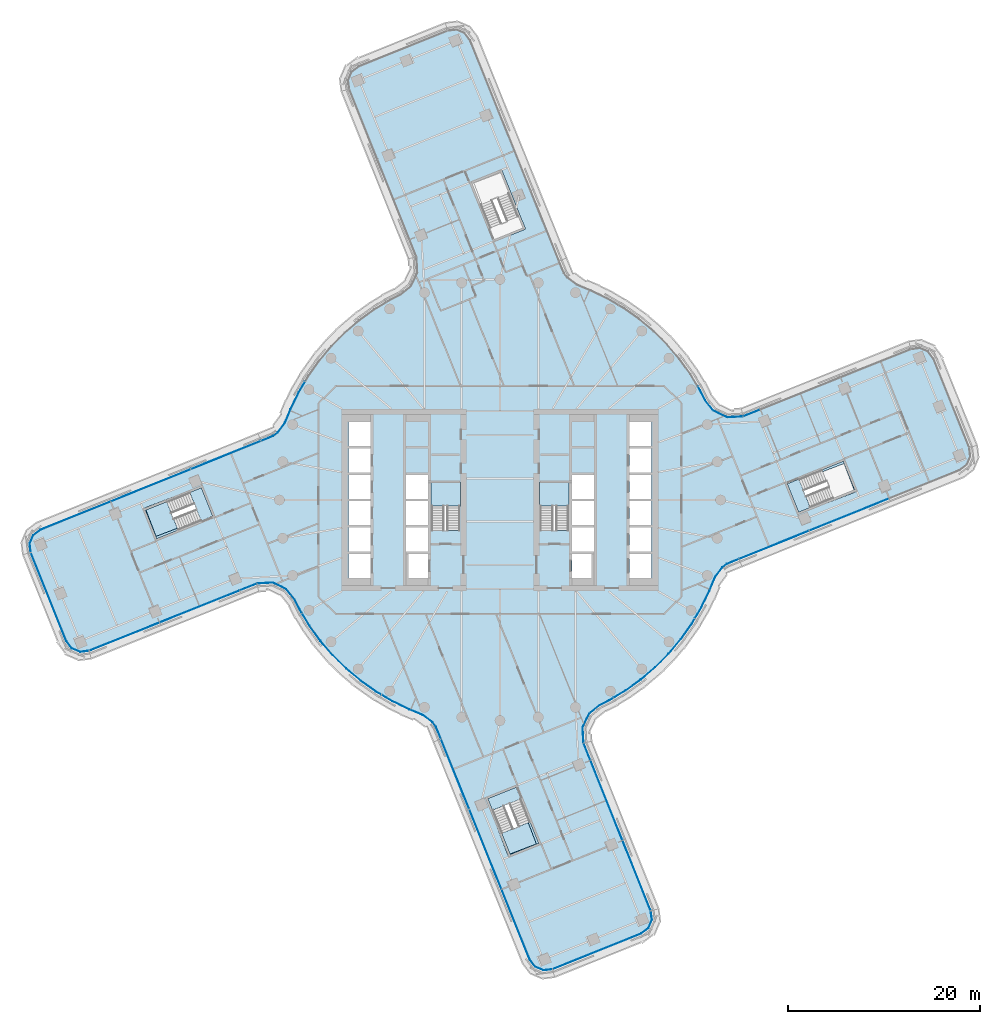
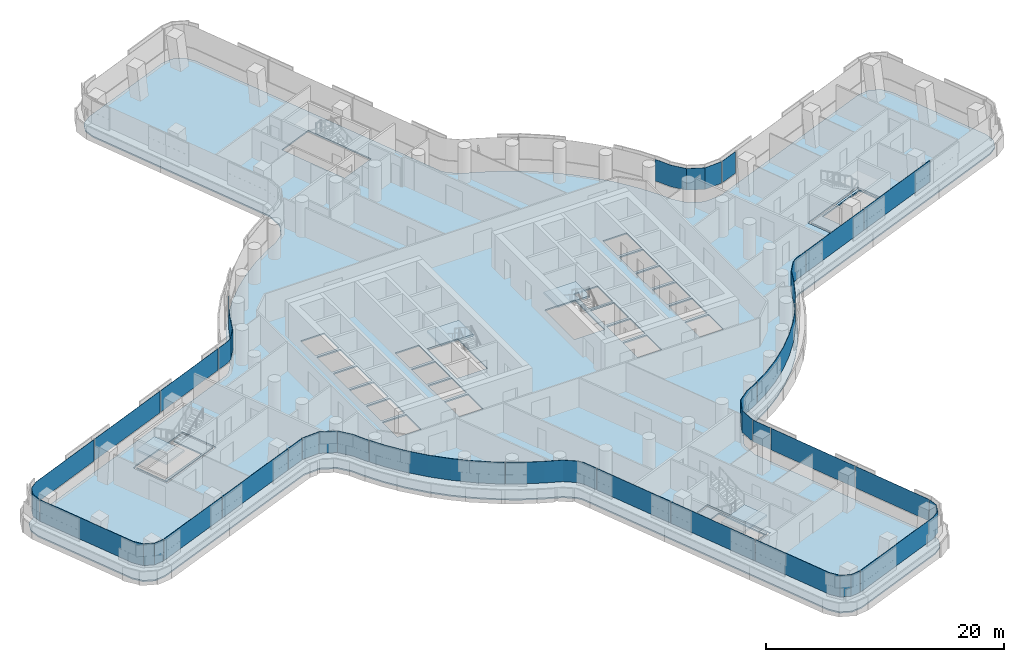
# One storey, part 18 of 32: 25 plates, 8 slabs, 16 elements without a shape of their own.
"""IFC4 building model written with IfcOpenShell, lengths in metres."""

from ifc_helpers import new_model, si_unit, direction, frame, origin, place, context, subcontext, project, spatial, polyline, outline, extrude, material, layer, layer_set, type_object, element, aggregate, save


model = new_model("IFC4")

# Units and contexts
model_context = context("Model", 3, precision=1e-05, world=origin(), true_north=direction((0.0, 1.0)))
body_context = subcontext(model_context, "Body", "Model", "MODEL_VIEW")
ifc_project = project(units=[si_unit("LENGTHUNIT", "METRE"), si_unit("AREAUNIT", "SQUARE_METRE"), si_unit("VOLUMEUNIT", "CUBIC_METRE"), si_unit("PLANEANGLEUNIT", "RADIAN"), si_unit("MASSUNIT", "GRAM", prefix="KILO")], contexts=[model_context])

# Site, building, storey
site_placement = place(None, origin())
site = spatial("IfcSite", under=ifc_project, at=site_placement, CompositionType="ELEMENT")
building_placement = place(site_placement, origin())
building = spatial("IfcBuilding", under=site, at=building_placement, Name="Tamarind Cross Interchange Tower", CompositionType="ELEMENT")
storey_placement = place(building_placement, frame((0.0, 0.0, 113.5)))
storey = spatial("IfcBuildingStorey", under=building, at=storey_placement, Name="L27", CompositionType="ELEMENT", Elevation=113.5)

# Slabs
ifc_material_1 = material(Name="Concrete C35", Category="concrete")
ifc_layer_1 = layer(ifc_material_1, 0.139892578125)
ifc_layer_set_1 = layer_set([ifc_layer_1], Name="Concrete C35")
slab_type_1 = type_object("IfcSlabType", Name="Composite slab 140 Concrete C35", PredefinedType="FLOOR", material=ifc_layer_set_1)
slab_1_placement = place(storey_placement, frame((0.0, 0.0, -0.139892578125)))
element("IfcSlab", 1, at=slab_1_placement, inside=storey, type_object=slab_type_1, Name="Floor slab L27", PredefinedType="FLOOR", context=body_context, shape_type="SweptSolid", body=[
    extrude(outline(polyline([(-23.73291015625, 6.85302734375), (-24.989990234375, 6.34228515625), (-48.009521484375, -2.9306640625), (-48.8369140625, -3.552734375), (-49.242431640625, -4.50537109375), (-49.1171875, -5.533203125), (-45.380859375, -14.808837890625), (-44.758544921875, -15.63623046875), (-43.805908203125, -16.041748046875), (-42.7783203125, -15.91650390625), (-25.30322265625, -8.91064453125), (-23.722412109375, -8.8203125), (-22.4091796875, -9.453369140625), (-21.55615234375, -10.504638671875), (-21.054443359375, -11.511474609375), (-20.031982421875, -13.2109375), (-18.87255859375, -14.820068359375), (-17.584228515625, -16.327880859375), (-16.17578125, -17.72412109375), (-14.656982421875, -18.99951171875), (-13.0380859375, -20.14501953125), (-11.329833984375, -21.15283203125), (-9.54443359375, -22.01611328125), (-8.127685546875, -22.607421875), (-7.17333984375, -23.320068359375), (-6.85302734375, -23.73291015625), (-6.34228515625, -24.989990234375), (2.9306640625, -48.009521484375), (3.552734375, -48.8369140625), (4.50537109375, -49.242431640625), (5.533203125, -49.1171875), (14.808837890625, -45.380859375), (15.63623046875, -44.758544921875), (16.041748046875, -43.805908203125), (15.91650390625, -42.7783203125), (8.91064453125, -25.30322265625), (8.8203125, -23.722412109375), (9.453369140625, -22.4091796875), (10.504638671875, -21.55615234375), (11.511474609375, -21.054443359375), (13.2109375, -20.031982421875), (14.820068359375, -18.87255859375), (16.327880859375, -17.584228515625), (17.72412109375, -16.17578125), (18.99951171875, -14.656982421875), (20.14501953125, -13.0380859375), (21.15283203125, -11.329833984375), (22.01611328125, -9.54443359375), (22.607421875, -8.127685546875), (23.320068359375, -7.17333984375), (23.73291015625, -6.85302734375), (24.989990234375, -6.34228515625), (48.009521484375, 2.9306640625), (48.8369140625, 3.552734375), (49.242431640625, 4.50537109375), (49.1171875, 5.533203125), (45.380859375, 14.808837890625), (44.758544921875, 15.63623046875), (43.805908203125, 16.041748046875), (42.7783203125, 15.91650390625), (25.30322265625, 8.91064453125), (23.722412109375, 8.8203125), (22.4091796875, 9.453369140625), (21.55615234375, 10.504638671875), (21.054443359375, 11.511474609375), (20.031982421875, 13.2109375), (18.87255859375, 14.820068359375), (17.584228515625, 16.327880859375), (16.17578125, 17.72412109375), (14.656982421875, 18.99951171875), (13.0380859375, 20.14501953125), (11.329833984375, 21.15283203125), (9.54443359375, 22.01611328125), (8.127685546875, 22.607421875), (7.17333984375, 23.320068359375), (6.85302734375, 23.73291015625), (6.34228515625, 24.989990234375), (-2.9306640625, 48.009521484375), (-3.552734375, 48.8369140625), (-4.50537109375, 49.242431640625), (-5.533203125, 49.1171875), (-14.808837890625, 45.380859375), (-15.63623046875, 44.758544921875), (-16.041748046875, 43.805908203125), (-15.91650390625, 42.7783203125), (-8.91064453125, 25.30322265625), (-8.8203125, 23.722412109375), (-9.453369140625, 22.4091796875), (-10.504638671875, 21.55615234375), (-11.511474609375, 21.054443359375), (-13.2109375, 20.031982421875), (-14.820068359375, 18.87255859375), (-16.327880859375, 17.584228515625), (-17.72412109375, 16.17578125), (-18.99951171875, 14.656982421875), (-20.14501953125, 13.0380859375), (-21.15283203125, 11.329833984375), (-22.01611328125, 9.54443359375), (-22.607421875, 8.127685546875), (-23.320068359375, 7.17333984375), (-23.73291015625, 6.85302734375)]), holes=[polyline([(-13.5, -8.125), (-15.800048828125, -8.125), (-15.800048828125, -5.625), (-13.5, -5.625), (-13.5, -8.125)]), polyline([(-7.5, -8.125), (-9.800048828125, -8.125), (-9.800048828125, -5.625), (-7.5, -5.625), (-7.5, -8.125)]), polyline([(-13.5, -5.375), (-15.800048828125, -5.375), (-15.800048828125, -2.875), (-13.5, -2.875), (-13.5, -5.375)]), polyline([(-29.683349609375, -1.801513671875), (-35.898193359375, -4.3046875), (-35.972900390625, -4.119384765625), (-37.168701171875, -1.151123046875), (-37.243408203125, -0.965576171875), (-36.978759765625, -0.85888671875), (-37.000244140625, -0.802978515625), (-33.927001953125, 0.370361328125), (-31.028564453125, 1.537841796875), (-30.953857421875, 1.352294921875), (-29.75830078125, -1.615966796875), (-29.683349609375, -1.801513671875)]), polyline([(-13.5, -2.625), (-15.800048828125, -2.625), (-15.800048828125, -0.125), (-13.5, -0.125), (-13.5, -2.625)]), polyline([(-7.5, -2.625), (-9.800048828125, -2.625), (-9.800048828125, -0.125), (-7.5, -0.125), (-7.5, -2.625)]), polyline([(-13.5, 0.125), (-15.800048828125, 0.125), (-15.800048828125, 2.625), (-13.5, 2.625), (-13.5, 0.125)]), polyline([(-7.5, 0.125), (-9.800048828125, 0.125), (-9.800048828125, 2.625), (-7.5, 2.625), (-7.5, 0.125)]), polyline([(-13.5, 2.875), (-15.800048828125, 2.875), (-15.800048828125, 5.375), (-13.5, 5.375), (-13.5, 2.875)]), polyline([(-15.800048828125, 5.625), (-15.800048828125, 8.125), (-13.5, 8.125), (-13.5, 5.625), (-15.800048828125, 5.625)]), polyline([(-0.370361328125, -33.927001953125), (-1.537841796875, -31.028564453125), (-1.352294921875, -30.953857421875), (1.615966796875, -29.75830078125), (1.801513671875, -29.683349609375), (4.3046875, -35.898193359375), (4.119384765625, -35.972900390625), (1.151123046875, -37.168701171875), (0.965576171875, -37.243408203125), (0.85888671875, -36.978759765625), (0.802978515625, -37.000244140625), (-0.370361328125, -33.927001953125)]), polyline([(-9.800048828125, -5.375), (-9.800048828125, -2.875), (-7.5, -2.875), (-7.5, -5.375), (-9.800048828125, -5.375)]), polyline([(-4.199951171875, -3.18798828125), (-7.14990234375, -3.18798828125), (-7.14990234375, 1.800048828125), (-4.199951171875, 1.800048828125), (-4.199951171875, -3.18798828125)]), polyline([(7.14990234375, 1.800048828125), (7.14990234375, -3.18798828125), (4.199951171875, -3.18798828125), (4.199951171875, 1.800048828125), (7.14990234375, 1.800048828125)]), polyline([(7.5, 2.625), (9.800048828125, 2.625), (9.800048828125, 0.125), (7.5, 0.125), (7.5, 2.625)]), polyline([(-3.183837890625, 33.115478515625), (-2.998291015625, 33.190185546875), (-0.030029296875, 34.3857421875), (0.155517578125, 34.460693359375), (0.26220703125, 34.195556640625), (0.26708984375, 34.197509765625), (0.370361328125, 33.927001953125), (2.65869140625, 28.245849609375), (2.473388671875, 28.171142578125), (-0.494873046875, 26.975341796875), (-0.680419921875, 26.900634765625), (-3.183837890625, 33.115478515625)]), polyline([(7.5, -5.625), (9.800048828125, -5.625), (9.800048828125, -8.125), (7.5, -8.125), (7.5, -5.625)]), polyline([(15.800048828125, -5.625), (15.800048828125, -8.125), (13.5, -8.125), (13.5, -5.625), (15.800048828125, -5.625)]), polyline([(9.800048828125, -2.875), (9.800048828125, -5.375), (7.5, -5.375), (7.5, -2.875), (9.800048828125, -2.875)]), polyline([(13.5, -2.875), (15.800048828125, -2.875), (15.800048828125, -5.375), (13.5, -5.375), (13.5, -2.875)]), polyline([(7.5, -0.125), (9.800048828125, -0.125), (9.800048828125, -2.625), (7.5, -2.625), (7.5, -0.125)]), polyline([(13.5, -0.125), (15.800048828125, -0.125), (15.800048828125, -2.625), (13.5, -2.625), (13.5, -0.125)]), polyline([(31.028564453125, -1.537841796875), (30.953857421875, -1.352294921875), (29.75830078125, 1.615966796875), (29.683349609375, 1.801513671875), (35.898193359375, 4.3046875), (35.972900390625, 4.119384765625), (37.168701171875, 1.151123046875), (37.243408203125, 0.965576171875), (36.978759765625, 0.85888671875), (37.000244140625, 0.802978515625), (33.927001953125, -0.370361328125), (31.028564453125, -1.537841796875)]), polyline([(13.5, 2.625), (15.800048828125, 2.625), (15.800048828125, 0.125), (13.5, 0.125), (13.5, 2.625)]), polyline([(15.800048828125, 5.375), (15.800048828125, 2.875), (13.5, 2.875), (13.5, 5.375), (15.800048828125, 5.375)]), polyline([(15.800048828125, 8.125), (15.800048828125, 5.625), (13.5, 5.625), (13.5, 8.125), (15.800048828125, 8.125)])]), origin(), (0.0, 0.0, 1.0), 0.139892578125),
])
slab_2_placement = place(storey_placement, frame((0.0, 0.0, -0.139892578125)))
element("IfcSlab", 2, at=slab_2_placement, inside=storey, type_object=slab_type_1, Name="Floor slab L27", PredefinedType="FLOOR", context=body_context, shape_type="SweptSolid", body=[
    extrude(outline(polyline([(-36.98291015625, -1.076416015625), (-35.787353515625, -4.044677734375), (-29.943603515625, -1.690673828125), (-31.139404296875, 1.277587890625), (-32.27978515625, 0.818115234375), (-32.356201171875, 0.787353515625), (-31.22412109375, -2.023193359375), (-35.85888671875, -3.79248046875), (-36.907470703125, -1.0458984375), (-36.98291015625, -1.076416015625)])), origin(), (0.0, 0.0, 1.0), 0.139892578125),
])
slab_3_placement = place(storey_placement, frame((0.0, 0.0, -0.139892578125)))
element("IfcSlab", 3, at=slab_3_placement, inside=storey, type_object=slab_type_1, Name="Floor slab L27", PredefinedType="FLOOR", context=body_context, shape_type="SweptSolid", body=[
    extrude(outline(polyline([(1.076416015625, -36.98291015625), (4.044677734375, -35.787353515625), (1.690673828125, -29.943603515625), (-1.277587890625, -31.139404296875), (-0.818115234375, -32.27978515625), (-0.787353515625, -32.356201171875), (2.023193359375, -31.22412109375), (3.79248046875, -35.85888671875), (1.0458984375, -36.907470703125), (1.076416015625, -36.98291015625)])), origin(), (0.0, 0.0, 1.0), 0.139892578125),
])
slab_4_placement = place(storey_placement, frame((0.0, 0.0, -0.139892578125)))
element("IfcSlab", 4, at=slab_4_placement, inside=storey, type_object=slab_type_1, Name="Floor slab L27", PredefinedType="FLOOR", context=body_context, shape_type="SweptSolid", body=[
    extrude(outline(polyline([(36.98291015625, 1.076416015625), (35.787353515625, 4.044677734375), (29.943603515625, 1.690673828125), (31.139404296875, -1.277587890625), (32.27978515625, -0.818115234375), (32.356201171875, -0.787353515625), (31.22412109375, 2.023193359375), (35.85888671875, 3.79248046875), (36.907470703125, 1.0458984375), (36.98291015625, 1.076416015625)])), origin(), (0.0, 0.0, 1.0), 0.139892578125),
])

# Stair, slab
ifc_material_2 = material(Name="Exit stair")
stair_type = type_object("IfcStairType", Name="Exit stair", PredefinedType="HALF_TURN_STAIR", material=ifc_material_2)
stair_1_placement = place(storey_placement, origin())
stair_1 = element("IfcStair", 5, at=stair_1_placement, inside=storey, type_object=stair_type, Name="L27 exit stair ST1", PredefinedType="HALF_TURN_STAIR")
ifc_material_3 = material(Name="Concrete C40", Category="concrete")
ifc_layer_2 = layer(ifc_material_3, 0.199951171875)
ifc_layer_set_2 = layer_set([ifc_layer_2], Name="Concrete C40")
slab_type_2 = type_object("IfcSlabType", Name="Stair landing", PredefinedType="LANDING", material=ifc_layer_set_2)
slab_5_placement = place(storey_placement, frame((0.0, 0.0, 1.675048828125)))
slab_5 = element("IfcSlab", 6, at=slab_5_placement, type_object=slab_type_2, Name="ST1 landing 1", PredefinedType="LANDING", context=body_context, shape_type="SweptSolid", body=[
    extrude(outline(polyline([(-4.10009765625, -0.60009765625), (-4.10009765625, 1.800048828125), (-7.199951171875, 1.800048828125), (-7.199951171875, -0.60009765625), (-4.10009765625, -0.60009765625)])), origin(), (0.0, 0.0, 1.0), 0.199951171875),
])
aggregate(stair_1, [slab_5])

stair_2_placement = place(storey_placement, origin())
stair_2 = element("IfcStair", 7, at=stair_2_placement, inside=storey, type_object=stair_type, Name="L27 exit stair ST2", PredefinedType="HALF_TURN_STAIR")
slab_6_placement = place(storey_placement, frame((0.0, 0.0, 1.675048828125)))
slab_6 = element("IfcSlab", 8, at=slab_6_placement, type_object=slab_type_2, Name="ST2 landing 1", PredefinedType="LANDING", context=body_context, shape_type="SweptSolid", body=[
    extrude(outline(polyline([(7.199951171875, -0.60009765625), (7.199951171875, 1.800048828125), (4.10009765625, 1.800048828125), (4.10009765625, -0.60009765625), (7.199951171875, -0.60009765625)])), origin(), (0.0, 0.0, 1.0), 0.199951171875),
])
aggregate(stair_2, [slab_6])

stair_3_placement = place(storey_placement, origin())
stair_3 = element("IfcStair", 9, at=stair_3_placement, inside=storey, type_object=stair_type, Name="L27 exit stair ST5", PredefinedType="HALF_TURN_STAIR")
slab_7_placement = place(storey_placement, frame((0.0, 0.0, 1.675048828125)))
slab_7 = element("IfcSlab", 10, at=slab_7_placement, type_object=slab_type_2, Name="ST5 landing 1", PredefinedType="LANDING", context=body_context, shape_type="SweptSolid", body=[
    extrude(outline(polyline([(-34.745849609375, -0.175048828125), (-36.983154296875, -1.076416015625), (-35.787353515625, -4.044677734375), (-33.550048828125, -3.143310546875), (-34.745849609375, -0.175048828125)])), origin(), (0.0, 0.0, 1.0), 0.199951171875),
])
aggregate(stair_3, [slab_7])

stair_4_placement = place(storey_placement, origin())
stair_4 = element("IfcStair", 11, at=stair_4_placement, inside=storey, type_object=stair_type, Name="L27 exit stair ST6", PredefinedType="HALF_TURN_STAIR")
slab_8_placement = place(storey_placement, frame((0.0, 0.0, 1.675048828125)))
slab_8 = element("IfcSlab", 12, at=slab_8_placement, type_object=slab_type_2, Name="ST6 landing 1", PredefinedType="LANDING", context=body_context, shape_type="SweptSolid", body=[
    extrude(outline(polyline([(0.175048828125, -34.745849609375), (1.076416015625, -36.983154296875), (4.044677734375, -35.787353515625), (3.143310546875, -33.550048828125), (0.175048828125, -34.745849609375)])), origin(), (0.0, 0.0, 1.0), 0.199951171875),
])
aggregate(stair_4, [slab_8])

# Curtain wall, plate
ifc_material_4 = material(Name="Aluminium 6063-T6", Category="aluminium")
ifc_layer_3 = layer(ifc_material_4, 0.159912109375)
ifc_layer_set_3 = layer_set([ifc_layer_3], Name="Aluminium 6063-T6")
curtain_wall_type = type_object("IfcCurtainWallType", Name="Office curtain wall, 9.0 m bays", PredefinedType="NOTDEFINED", material=ifc_layer_set_3)
curtain_wall_1_placement = place(storey_placement, origin())
curtain_wall_1 = element("IfcCurtainWall", 13, at=curtain_wall_1_placement, inside=storey, type_object=curtain_wall_type, Name="CWS-L27-00", PredefinedType="NOTDEFINED")
ifc_material_5 = material(Name="Laminated low-e glass 8+1.52+8", Category="glass")
ifc_layer_4 = layer(ifc_material_5, 0.028076171875)
ifc_layer_set_4 = layer_set([ifc_layer_4], Name="Laminated low-e glass 8+1.52+8")
plate_type = type_object("IfcPlateType", Name="Vision panel CW1", PredefinedType="CURTAIN_PANEL", material=ifc_layer_set_4)
plate_1_placement = place(storey_placement, frame((0.0, 0.0, 1.39990234375)))
plate_1 = element("IfcPlate", 14, at=plate_1_placement, type_object=plate_type, Name="CWP-L27-00-00", PredefinedType="CURTAIN_PANEL", context=body_context, shape_type="SweptSolid", body=[
    extrude(outline(polyline([(-48.897705078125, -5.50537109375), (-45.19287109375, -14.70263671875), (-44.6220703125, -15.461669921875), (-43.77490234375, -15.822265625), (-42.85986328125, -15.7109375), (-42.8564453125, -15.73876953125), (-43.779052734375, -15.85107421875), (-44.639892578125, -15.484619140625), (-45.21728515625, -14.716552734375), (-48.923583984375, -5.515869140625), (-48.897705078125, -5.50537109375)])), origin(), (0.0, 0.0, 1.0), 2.210205078125),
])
aggregate(curtain_wall_1, [plate_1])

# Curtain wall, plates
curtain_wall_2_placement = place(storey_placement, origin())
curtain_wall_2 = element("IfcCurtainWall", 15, at=curtain_wall_2_placement, inside=storey, type_object=curtain_wall_type, Name="CWS-L27-01", PredefinedType="NOTDEFINED")
plate_2_placement = place(storey_placement, frame((0.0, 0.0, 1.39990234375)))
plate_2 = element("IfcPlate", 16, at=plate_2_placement, type_object=plate_type, Name="CWP-L27-01-00", PredefinedType="CURTAIN_PANEL", context=body_context, shape_type="SweptSolid", body=[
    extrude(outline(polyline([(-42.805908203125, -15.697021484375), (-35.507080078125, -12.77099609375), (-35.496826171875, -12.796875), (-42.79541015625, -15.72314453125), (-42.805908203125, -15.697021484375)])), origin(), (0.0, 0.0, 1.0), 2.210205078125),
])
plate_3_placement = place(storey_placement, frame((0.0, 0.0, 1.39990234375)))
plate_3 = element("IfcPlate", 17, at=plate_3_placement, type_object=plate_type, Name="CWP-L27-01-01", PredefinedType="CURTAIN_PANEL", context=body_context, shape_type="SweptSolid", body=[
    extrude(outline(polyline([(-35.451416015625, -12.74853515625), (-27.150634765625, -9.420654296875), (-27.140380859375, -9.44677734375), (-35.441162109375, -12.774658203125), (-35.451416015625, -12.74853515625)])), origin(), (0.0, 0.0, 1.0), 2.210205078125),
])
plate_4_placement = place(storey_placement, frame((0.0, 0.0, 1.39990234375)))
plate_4 = element("IfcPlate", 18, at=plate_4_placement, type_object=plate_type, Name="CWP-L27-01-02", PredefinedType="CURTAIN_PANEL", context=body_context, shape_type="SweptSolid", body=[
    extrude(outline(polyline([(-27.094970703125, -9.3984375), (-25.38037109375, -8.7109375), (-25.369873046875, -8.73681640625), (-27.084716796875, -9.42431640625), (-27.094970703125, -9.3984375)])), origin(), (0.0, 0.0, 1.0), 2.210205078125),
])
aggregate(curtain_wall_2, [plate_2, plate_3, plate_4])

curtain_wall_3_placement = place(storey_placement, origin())
curtain_wall_3 = element("IfcCurtainWall", 19, at=curtain_wall_3_placement, inside=storey, type_object=curtain_wall_type, Name="CWS-L27-02", PredefinedType="NOTDEFINED")
plate_5_placement = place(storey_placement, frame((0.0, 0.0, 1.39990234375)))
plate_5 = element("IfcPlate", 20, at=plate_5_placement, type_object=plate_type, Name="CWP-L27-02-00", PredefinedType="CURTAIN_PANEL", context=body_context, shape_type="SweptSolid", body=[
    extrude(outline(polyline([(-25.318115234375, -8.697021484375), (-23.679443359375, -8.603515625), (-22.273193359375, -9.281494140625), (-21.375244140625, -10.38818359375), (-20.86669921875, -11.408447265625), (-20.643310546875, -11.77978515625), (-20.667236328125, -11.794189453125), (-20.891357421875, -11.421875), (-21.39892578125, -10.4033203125), (-22.291015625, -9.303955078125), (-23.68505859375, -8.6318359375), (-25.316650390625, -8.72509765625), (-25.318115234375, -8.697021484375)])), origin(), (0.0, 0.0, 1.0), 2.210205078125),
])
plate_6_placement = place(storey_placement, frame((0.0, 0.0, 1.39990234375)))
plate_6 = element("IfcPlate", 21, at=plate_6_placement, type_object=plate_type, Name="CWP-L27-02-01", PredefinedType="CURTAIN_PANEL", context=body_context, shape_type="SweptSolid", body=[
    extrude(outline(polyline([(-20.6123046875, -11.8310546875), (-19.85302734375, -13.093017578125), (-18.7041015625, -14.687744140625), (-17.42724609375, -16.18212890625), (-16.031494140625, -17.56591796875), (-14.526123046875, -18.829833984375), (-12.921630859375, -19.965087890625), (-12.384521484375, -20.281982421875), (-12.398681640625, -20.30615234375), (-12.936767578125, -19.988525390625), (-14.543212890625, -18.85205078125), (-16.05029296875, -17.586669921875), (-17.44775390625, -16.201171875), (-18.72607421875, -14.705078125), (-19.87646484375, -13.1083984375), (-20.636474609375, -11.845703125), (-20.6123046875, -11.8310546875)])), origin(), (0.0, 0.0, 1.0), 2.210205078125),
])
plate_7_placement = place(storey_placement, frame((0.0, 0.0, 1.39990234375)))
plate_7 = element("IfcPlate", 22, at=plate_7_placement, type_object=plate_type, Name="CWP-L27-02-02", PredefinedType="CURTAIN_PANEL", context=body_context, shape_type="SweptSolid", body=[
    extrude(outline(polyline([(-12.332763671875, -20.3125), (-11.228759765625, -20.9638671875), (-9.45654296875, -21.82080078125), (-8.020751953125, -22.420166015625), (-7.02197265625, -23.166015625), (-6.665771484375, -23.625), (-6.155029296875, -24.8818359375), (-6.180908203125, -24.892333984375), (-6.690185546875, -23.63916015625), (-7.041748046875, -23.186279296875), (-8.03466796875, -22.44482421875), (-9.468017578125, -21.846435546875), (-11.241943359375, -20.98876953125), (-12.34716796875, -20.336669921875), (-12.332763671875, -20.3125)])), origin(), (0.0, 0.0, 1.0), 2.210205078125),
])
aggregate(curtain_wall_3, [plate_5, plate_6, plate_7])

curtain_wall_4_placement = place(storey_placement, origin())
curtain_wall_4 = element("IfcCurtainWall", 23, at=curtain_wall_4_placement, inside=storey, type_object=curtain_wall_type, Name="CWS-L27-03", PredefinedType="NOTDEFINED")
plate_8_placement = place(storey_placement, frame((0.0, 0.0, 1.39990234375)))
plate_8 = element("IfcPlate", 24, at=plate_8_placement, type_object=plate_type, Name="CWP-L27-03-00", PredefinedType="CURTAIN_PANEL", context=body_context, shape_type="SweptSolid", body=[
    extrude(outline(polyline([(-6.132568359375, -24.9375), (-3.20751953125, -32.198486328125), (-3.233642578125, -32.208984375), (-6.158447265625, -24.947998046875), (-6.132568359375, -24.9375)])), origin(), (0.0, 0.0, 1.0), 2.210205078125),
])
plate_9_placement = place(storey_placement, frame((0.0, 0.0, 1.39990234375)))
plate_9 = element("IfcPlate", 25, at=plate_9_placement, type_object=plate_type, Name="CWP-L27-03-01", PredefinedType="CURTAIN_PANEL", context=body_context, shape_type="SweptSolid", body=[
    extrude(outline(polyline([(-3.185302734375, -32.254150390625), (0.151611328125, -40.5380859375), (0.125732421875, -40.54833984375), (-3.211181640625, -32.2646484375), (-3.185302734375, -32.254150390625)])), origin(), (0.0, 0.0, 1.0), 2.210205078125),
])
plate_10_placement = place(storey_placement, frame((0.0, 0.0, 1.39990234375)))
plate_10 = element("IfcPlate", 26, at=plate_10_placement, type_object=plate_type, Name="CWP-L27-03-02", PredefinedType="CURTAIN_PANEL", context=body_context, shape_type="SweptSolid", body=[
    extrude(outline(polyline([(0.174072265625, -40.59375), (3.11865234375, -47.9033203125), (3.689453125, -48.662353515625), (4.536376953125, -49.02294921875), (5.451416015625, -48.91162109375), (5.45458984375, -48.939453125), (4.532470703125, -49.0517578125), (3.671630859375, -48.685302734375), (3.093994140625, -47.917236328125), (0.148193359375, -40.60400390625), (0.174072265625, -40.59375)])), origin(), (0.0, 0.0, 1.0), 2.210205078125),
])
aggregate(curtain_wall_4, [plate_8, plate_9, plate_10])

# Curtain wall, plate
curtain_wall_5_placement = place(storey_placement, origin())
curtain_wall_5 = element("IfcCurtainWall", 27, at=curtain_wall_5_placement, inside=storey, type_object=curtain_wall_type, Name="CWS-L27-04", PredefinedType="NOTDEFINED")
plate_11_placement = place(storey_placement, frame((0.0, 0.0, 1.39990234375)))
plate_11 = element("IfcPlate", 28, at=plate_11_placement, type_object=plate_type, Name="CWP-L27-04-00", PredefinedType="CURTAIN_PANEL", context=body_context, shape_type="SweptSolid", body=[
    extrude(outline(polyline([(5.50537109375, -48.897705078125), (14.70263671875, -45.19287109375), (15.461669921875, -44.6220703125), (15.822265625, -43.77490234375), (15.7109375, -42.85986328125), (15.73876953125, -42.8564453125), (15.85107421875, -43.779052734375), (15.484619140625, -44.639892578125), (14.716552734375, -45.21728515625), (5.515869140625, -48.923583984375), (5.50537109375, -48.897705078125)])), origin(), (0.0, 0.0, 1.0), 2.210205078125),
])
aggregate(curtain_wall_5, [plate_11])

# Curtain wall, plates
curtain_wall_6_placement = place(storey_placement, origin())
curtain_wall_6 = element("IfcCurtainWall", 29, at=curtain_wall_6_placement, inside=storey, type_object=curtain_wall_type, Name="CWS-L27-05", PredefinedType="NOTDEFINED")
plate_12_placement = place(storey_placement, frame((0.0, 0.0, 1.39990234375)))
plate_12 = element("IfcPlate", 30, at=plate_12_placement, type_object=plate_type, Name="CWP-L27-05-00", PredefinedType="CURTAIN_PANEL", context=body_context, shape_type="SweptSolid", body=[
    extrude(outline(polyline([(15.697021484375, -42.805908203125), (12.77099609375, -35.507080078125), (12.796875, -35.496826171875), (15.72314453125, -42.79541015625), (15.697021484375, -42.805908203125)])), origin(), (0.0, 0.0, 1.0), 2.210205078125),
])
plate_13_placement = place(storey_placement, frame((0.0, 0.0, 1.39990234375)))
plate_13 = element("IfcPlate", 31, at=plate_13_placement, type_object=plate_type, Name="CWP-L27-05-01", PredefinedType="CURTAIN_PANEL", context=body_context, shape_type="SweptSolid", body=[
    extrude(outline(polyline([(12.74853515625, -35.451416015625), (9.420654296875, -27.150634765625), (9.44677734375, -27.140380859375), (12.774658203125, -35.441162109375), (12.74853515625, -35.451416015625)])), origin(), (0.0, 0.0, 1.0), 2.210205078125),
])
plate_14_placement = place(storey_placement, frame((0.0, 0.0, 1.39990234375)))
plate_14 = element("IfcPlate", 32, at=plate_14_placement, type_object=plate_type, Name="CWP-L27-05-02", PredefinedType="CURTAIN_PANEL", context=body_context, shape_type="SweptSolid", body=[
    extrude(outline(polyline([(9.3984375, -27.094970703125), (8.7109375, -25.38037109375), (8.73681640625, -25.369873046875), (9.42431640625, -27.084716796875), (9.3984375, -27.094970703125)])), origin(), (0.0, 0.0, 1.0), 2.210205078125),
])
aggregate(curtain_wall_6, [plate_12, plate_13, plate_14])

curtain_wall_7_placement = place(storey_placement, origin())
curtain_wall_7 = element("IfcCurtainWall", 33, at=curtain_wall_7_placement, inside=storey, type_object=curtain_wall_type, Name="CWS-L27-06", PredefinedType="NOTDEFINED")
plate_15_placement = place(storey_placement, frame((0.0, 0.0, 1.39990234375)))
plate_15 = element("IfcPlate", 34, at=plate_15_placement, type_object=plate_type, Name="CWP-L27-06-00", PredefinedType="CURTAIN_PANEL", context=body_context, shape_type="SweptSolid", body=[
    extrude(outline(polyline([(8.697021484375, -25.318115234375), (8.603515625, -23.679443359375), (9.281494140625, -22.273193359375), (10.38818359375, -21.375244140625), (11.408447265625, -20.86669921875), (11.77978515625, -20.643310546875), (11.794189453125, -20.667236328125), (11.421875, -20.891357421875), (10.4033203125, -21.39892578125), (9.303955078125, -22.291015625), (8.6318359375, -23.68505859375), (8.72509765625, -25.316650390625), (8.697021484375, -25.318115234375)])), origin(), (0.0, 0.0, 1.0), 2.210205078125),
])
plate_16_placement = place(storey_placement, frame((0.0, 0.0, 1.39990234375)))
plate_16 = element("IfcPlate", 35, at=plate_16_placement, type_object=plate_type, Name="CWP-L27-06-01", PredefinedType="CURTAIN_PANEL", context=body_context, shape_type="SweptSolid", body=[
    extrude(outline(polyline([(11.8310546875, -20.6123046875), (13.093017578125, -19.85302734375), (14.687744140625, -18.7041015625), (16.18212890625, -17.42724609375), (17.56591796875, -16.031494140625), (18.829833984375, -14.526123046875), (19.965087890625, -12.921630859375), (20.281982421875, -12.384521484375), (20.30615234375, -12.398681640625), (19.988525390625, -12.936767578125), (18.85205078125, -14.543212890625), (17.586669921875, -16.05029296875), (16.201171875, -17.44775390625), (14.705078125, -18.72607421875), (13.1083984375, -19.87646484375), (11.845703125, -20.636474609375), (11.8310546875, -20.6123046875)])), origin(), (0.0, 0.0, 1.0), 2.210205078125),
])
plate_17_placement = place(storey_placement, frame((0.0, 0.0, 1.39990234375)))
plate_17 = element("IfcPlate", 36, at=plate_17_placement, type_object=plate_type, Name="CWP-L27-06-02", PredefinedType="CURTAIN_PANEL", context=body_context, shape_type="SweptSolid", body=[
    extrude(outline(polyline([(20.3125, -12.332763671875), (20.9638671875, -11.228759765625), (21.82080078125, -9.45654296875), (22.420166015625, -8.020751953125), (23.166015625, -7.02197265625), (23.625, -6.665771484375), (24.8818359375, -6.155029296875), (24.892333984375, -6.180908203125), (23.63916015625, -6.690185546875), (23.186279296875, -7.041748046875), (22.44482421875, -8.03466796875), (21.846435546875, -9.468017578125), (20.98876953125, -11.241943359375), (20.336669921875, -12.34716796875), (20.3125, -12.332763671875)])), origin(), (0.0, 0.0, 1.0), 2.210205078125),
])
aggregate(curtain_wall_7, [plate_15, plate_16, plate_17])

curtain_wall_8_placement = place(storey_placement, origin())
curtain_wall_8 = element("IfcCurtainWall", 37, at=curtain_wall_8_placement, inside=storey, type_object=curtain_wall_type, Name="CWS-L27-07", PredefinedType="NOTDEFINED")
plate_18_placement = place(storey_placement, frame((0.0, 0.0, 1.39990234375)))
plate_18 = element("IfcPlate", 38, at=plate_18_placement, type_object=plate_type, Name="CWP-L27-07-00", PredefinedType="CURTAIN_PANEL", context=body_context, shape_type="SweptSolid", body=[
    extrude(outline(polyline([(24.9375, -6.132568359375), (32.198486328125, -3.20751953125), (32.208984375, -3.233642578125), (24.947998046875, -6.158447265625), (24.9375, -6.132568359375)])), origin(), (0.0, 0.0, 1.0), 2.210205078125),
])
plate_19_placement = place(storey_placement, frame((0.0, 0.0, 1.39990234375)))
plate_19 = element("IfcPlate", 39, at=plate_19_placement, type_object=plate_type, Name="CWP-L27-07-01", PredefinedType="CURTAIN_PANEL", context=body_context, shape_type="SweptSolid", body=[
    extrude(outline(polyline([(32.254150390625, -3.185302734375), (40.5380859375, 0.151611328125), (40.54833984375, 0.125732421875), (32.2646484375, -3.211181640625), (32.254150390625, -3.185302734375)])), origin(), (0.0, 0.0, 1.0), 2.210205078125),
])
aggregate(curtain_wall_8, [plate_18, plate_19])

# Curtain wall, plate
curtain_wall_9_placement = place(storey_placement, origin())
curtain_wall_9 = element("IfcCurtainWall", 40, at=curtain_wall_9_placement, inside=storey, type_object=curtain_wall_type, Name="CWS-L27-09", PredefinedType="NOTDEFINED")
plate_20_placement = place(storey_placement, frame((0.0, 0.0, 1.39990234375)))
plate_20 = element("IfcPlate", 41, at=plate_20_placement, type_object=plate_type, Name="CWP-L27-09-02", PredefinedType="CURTAIN_PANEL", context=body_context, shape_type="SweptSolid", body=[
    extrude(outline(polyline([(27.094970703125, 9.3984375), (25.38037109375, 8.7109375), (25.369873046875, 8.73681640625), (27.084716796875, 9.42431640625), (27.094970703125, 9.3984375)])), origin(), (0.0, 0.0, 1.0), 2.210205078125),
])
aggregate(curtain_wall_9, [plate_20])

curtain_wall_10_placement = place(storey_placement, origin())
curtain_wall_10 = element("IfcCurtainWall", 42, at=curtain_wall_10_placement, inside=storey, type_object=curtain_wall_type, Name="CWS-L27-10", PredefinedType="NOTDEFINED")
plate_21_placement = place(storey_placement, frame((0.0, 0.0, 1.39990234375)))
plate_21 = element("IfcPlate", 43, at=plate_21_placement, type_object=plate_type, Name="CWP-L27-10-00", PredefinedType="CURTAIN_PANEL", context=body_context, shape_type="SweptSolid", body=[
    extrude(outline(polyline([(25.318115234375, 8.697021484375), (23.679443359375, 8.603515625), (22.273193359375, 9.281494140625), (21.375244140625, 10.38818359375), (20.86669921875, 11.408447265625), (20.643310546875, 11.77978515625), (20.667236328125, 11.794189453125), (20.891357421875, 11.421875), (21.39892578125, 10.4033203125), (22.291015625, 9.303955078125), (23.68505859375, 8.6318359375), (25.316650390625, 8.72509765625), (25.318115234375, 8.697021484375)])), origin(), (0.0, 0.0, 1.0), 2.210205078125),
])
aggregate(curtain_wall_10, [plate_21])

curtain_wall_11_placement = place(storey_placement, origin())
curtain_wall_11 = element("IfcCurtainWall", 44, at=curtain_wall_11_placement, inside=storey, type_object=curtain_wall_type, Name="CWS-L27-14", PredefinedType="NOTDEFINED")
plate_22_placement = place(storey_placement, frame((0.0, 0.0, 1.39990234375)))
plate_22 = element("IfcPlate", 45, at=plate_22_placement, type_object=plate_type, Name="CWP-L27-14-02", PredefinedType="CURTAIN_PANEL", context=body_context, shape_type="SweptSolid", body=[
    extrude(outline(polyline([(-20.3125, 12.332763671875), (-20.9638671875, 11.228759765625), (-21.82080078125, 9.45654296875), (-22.420166015625, 8.020751953125), (-23.166015625, 7.02197265625), (-23.625, 6.665771484375), (-24.8818359375, 6.155029296875), (-24.892333984375, 6.180908203125), (-23.63916015625, 6.690185546875), (-23.186279296875, 7.041748046875), (-22.44482421875, 8.03466796875), (-21.846435546875, 9.468017578125), (-20.98876953125, 11.241943359375), (-20.336669921875, 12.34716796875), (-20.3125, 12.332763671875)])), origin(), (0.0, 0.0, 1.0), 2.210205078125),
])
aggregate(curtain_wall_11, [plate_22])

# Curtain wall, plates
curtain_wall_12_placement = place(storey_placement, origin())
curtain_wall_12 = element("IfcCurtainWall", 46, at=curtain_wall_12_placement, inside=storey, type_object=curtain_wall_type, Name="CWS-L27-15", PredefinedType="NOTDEFINED")
plate_23_placement = place(storey_placement, frame((0.0, 0.0, 1.39990234375)))
plate_23 = element("IfcPlate", 47, at=plate_23_placement, type_object=plate_type, Name="CWP-L27-15-00", PredefinedType="CURTAIN_PANEL", context=body_context, shape_type="SweptSolid", body=[
    extrude(outline(polyline([(-24.9375, 6.132568359375), (-32.198486328125, 3.20751953125), (-32.208984375, 3.233642578125), (-24.947998046875, 6.158447265625), (-24.9375, 6.132568359375)])), origin(), (0.0, 0.0, 1.0), 2.210205078125),
])
plate_24_placement = place(storey_placement, frame((0.0, 0.0, 1.39990234375)))
plate_24 = element("IfcPlate", 48, at=plate_24_placement, type_object=plate_type, Name="CWP-L27-15-01", PredefinedType="CURTAIN_PANEL", context=body_context, shape_type="SweptSolid", body=[
    extrude(outline(polyline([(-32.254150390625, 3.185302734375), (-40.5380859375, -0.151611328125), (-40.54833984375, -0.125732421875), (-32.2646484375, 3.211181640625), (-32.254150390625, 3.185302734375)])), origin(), (0.0, 0.0, 1.0), 2.210205078125),
])
plate_25_placement = place(storey_placement, frame((0.0, 0.0, 1.39990234375)))
plate_25 = element("IfcPlate", 49, at=plate_25_placement, type_object=plate_type, Name="CWP-L27-15-02", PredefinedType="CURTAIN_PANEL", context=body_context, shape_type="SweptSolid", body=[
    extrude(outline(polyline([(-40.59375, -0.174072265625), (-47.9033203125, -3.11865234375), (-48.662353515625, -3.689453125), (-49.02294921875, -4.536376953125), (-48.91162109375, -5.451416015625), (-48.939453125, -5.45458984375), (-49.0517578125, -4.532470703125), (-48.685302734375, -3.671630859375), (-47.917236328125, -3.093994140625), (-40.60400390625, -0.148193359375), (-40.59375, -0.174072265625)])), origin(), (0.0, 0.0, 1.0), 2.210205078125),
])
aggregate(curtain_wall_12, [plate_23, plate_24, plate_25])

save(model, "model.ifc")
